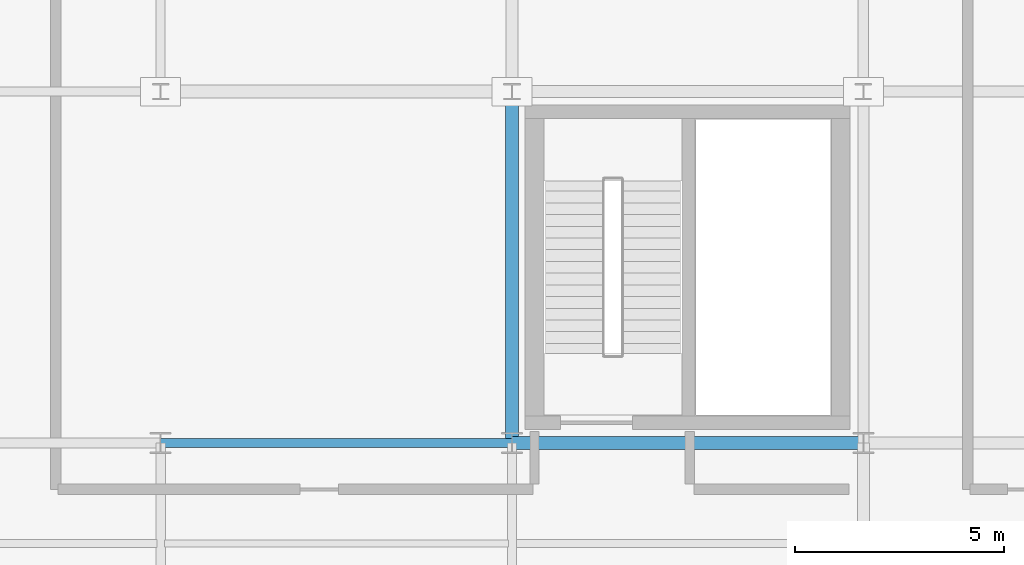
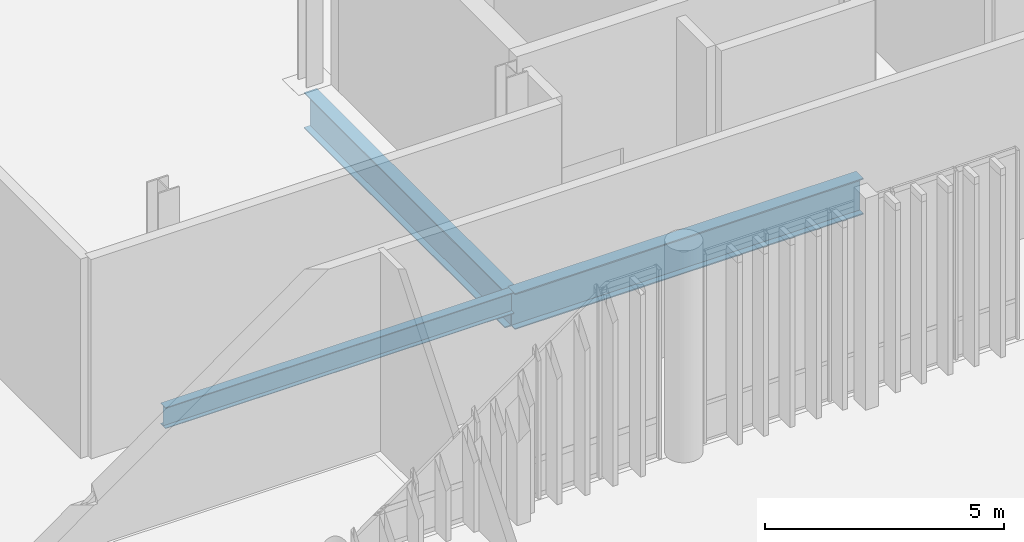
# One storey, part 46 of 112: 3 beams.
"""IFC4 building model written with IfcOpenShell, lengths in metres."""

from ifc_helpers import new_model, si_unit, direction, frame, origin_with_axes, origin_2d_with_axis, place, context, subcontext, project, spatial, i_section, extrude, material, material_profile, profile_set, type_object, element, save


model = new_model("IFC4")

# Units and contexts
model_context = context("Model", 3, precision=1e-05, world=origin_with_axes(), true_north=direction((0.0, 1.0)))
body_context = subcontext(model_context, "Body", "Model", "MODEL_VIEW")
ifc_project = project(units=[si_unit("LENGTHUNIT", "METRE"), si_unit("AREAUNIT", "SQUARE_METRE"), si_unit("VOLUMEUNIT", "CUBIC_METRE"), si_unit("PLANEANGLEUNIT", "RADIAN"), si_unit("MASSUNIT", "GRAM", prefix="KILO"), si_unit("THERMODYNAMICTEMPERATUREUNIT", "KELVIN")], contexts=[model_context])

# Site, building, storey
site_placement = place(None, origin_with_axes())
site = spatial("IfcSite", under=ifc_project, at=site_placement, CompositionType="ELEMENT")
building_placement = place(site_placement, origin_with_axes())
building = spatial("IfcBuilding", under=site, at=building_placement, Name="Montbau Bow Law Courts", CompositionType="ELEMENT")
storey_placement = place(building_placement, origin_with_axes())
storey = spatial("IfcBuildingStorey", under=building, at=storey_placement, Name="L00", CompositionType="ELEMENT", Elevation=0.0)

# Beams
ifc_material = material(Name="Steel CSA G40.21 Grade 350W (350 MPa)", Category="steel")
ifc_material_profile_1 = material_profile(ifc_material, i_section(OverallWidth=0.306, OverallDepth=0.919, WebThickness=0.0173, FlangeThickness=0.0279, at=origin_2d_with_axis()), Name="W920X253", Category="Main", Priority=0)
ifc_profile_set_1 = profile_set([ifc_material_profile_1], Name="Steel CSA G40.21 Grade 350W (350 MPa)")
beam_type_1 = type_object("IfcBeamType", Name="B-FLR-01", PredefinedType="BEAM", material=ifc_profile_set_1)
for number, where, z_axis, x_axis, name in (
    (1, (80.4, 46.2, -0.7), (1.0, 0.0, 0.0), (0.0, 1.0, 0.0), "BM-L00-S0206:bm2_0209"),
    (2, (80.4, 46.2, -0.7), (0.0, 1.0, 0.0), (-1.0, 0.0, 0.0), "BM-L00-S0298:bm2_0301"),
):
    element("IfcBeam", number, at=place(None, frame(where, z_axis=z_axis, x_axis=x_axis)), inside=storey, type_object=beam_type_1, Name=name, PredefinedType="BEAM", context=body_context, shape_type="SweptSolid", body=[
        extrude(i_section(OverallWidth=0.306, OverallDepth=0.919, WebThickness=0.0173, FlangeThickness=0.0279, at=origin_2d_with_axis()), origin_with_axes(), (0.0, 0.0, 1.0), 8.4),
    ])
ifc_material_profile_2 = material_profile(ifc_material, i_section(OverallWidth=0.21, OverallDepth=0.537, WebThickness=0.0109, FlangeThickness=0.0174, at=origin_2d_with_axis()), Name="W530X101", Category="Main", Priority=0)
ifc_profile_set_2 = profile_set([ifc_material_profile_2], Name="Steel CSA G40.21 Grade 350W (350 MPa)")
beam_type_2 = type_object("IfcBeamType", Name="B-FLR-06", PredefinedType="BEAM", material=ifc_profile_set_2)
beam_placement = place(None, frame((72.0, 46.2, -0.508), z_axis=(1.0, 0.0, 0.0), x_axis=(0.0, 1.0, 0.0)))
element("IfcBeam", 3, at=beam_placement, inside=storey, type_object=beam_type_2, Name="BM-L00-S0205:bm2_0208", PredefinedType="BEAM", context=body_context, shape_type="SweptSolid", body=[
    extrude(i_section(OverallWidth=0.21, OverallDepth=0.537, WebThickness=0.0109, FlangeThickness=0.0174, at=origin_2d_with_axis()), origin_with_axes(), (0.0, 0.0, 1.0), 8.4),
])

save(model, "model.ifc")
